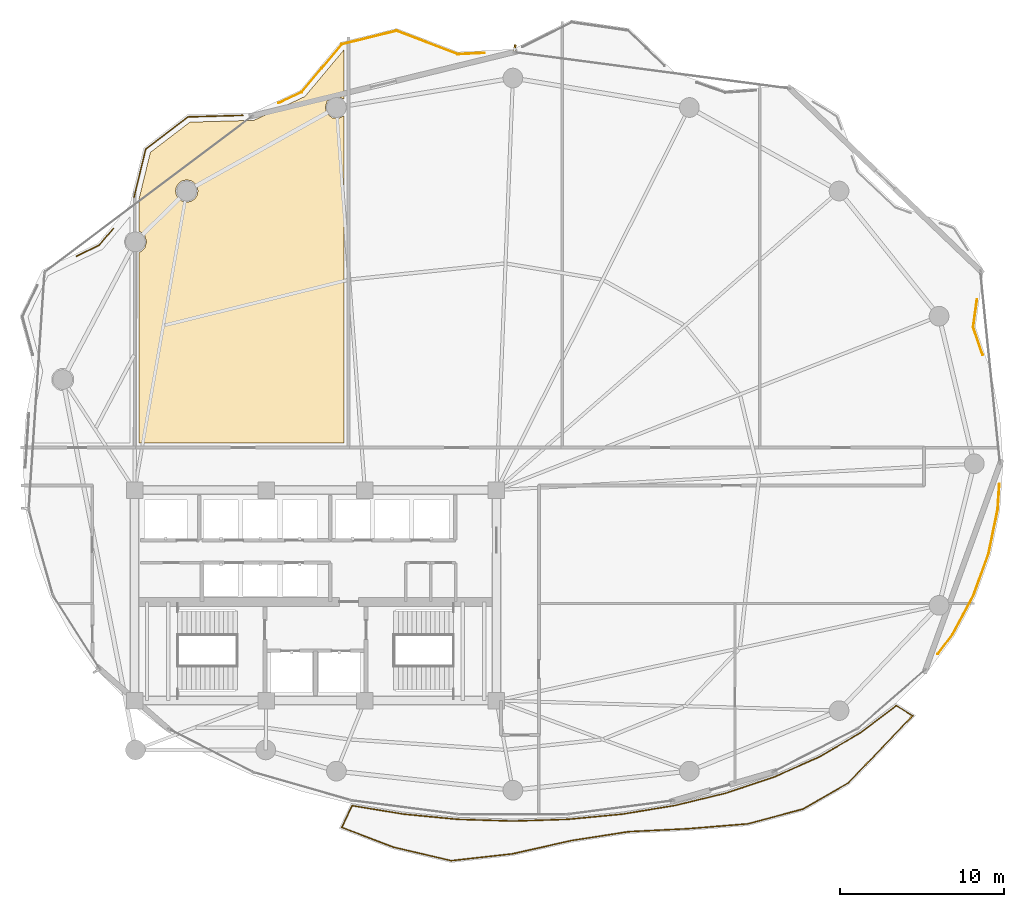
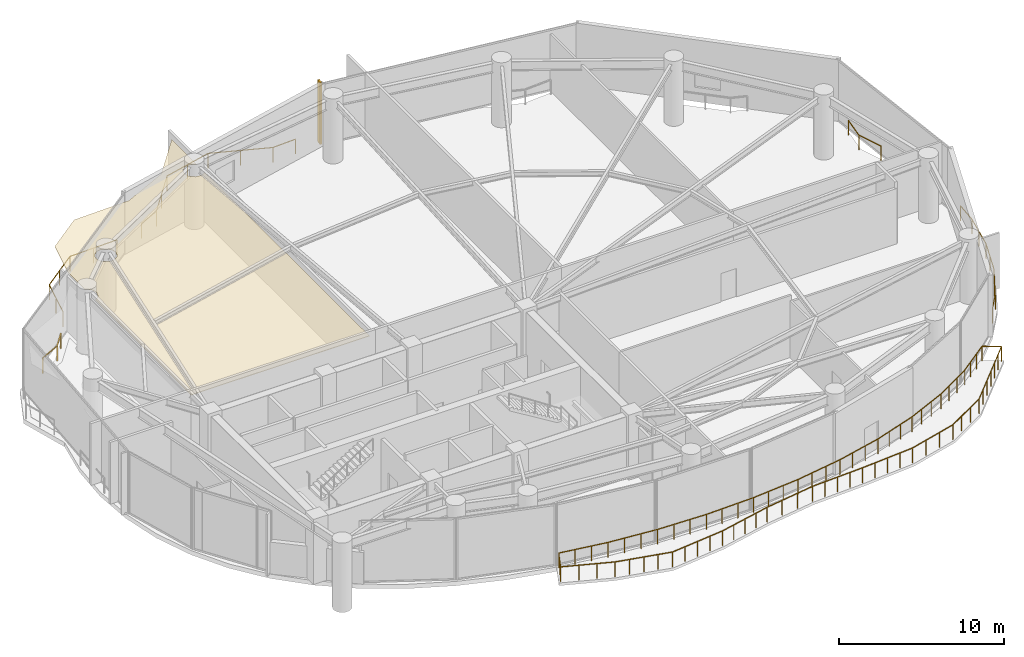
# One storey, part 29 of 30: 6 railings, 1 covering, 1 shading device.
"""IFC4 building model written with IfcOpenShell, lengths in metres."""

from ifc_helpers import new_model, si_unit, direction, frame, origin, origin_2d, place, context, subcontext, project, spatial, polyline, rectangle, outline, extrude, material, layer, layer_set, type_object, element, save


model = new_model("IFC4")

# Units and contexts
model_context = context("Model", 3, precision=1e-05, world=origin(), true_north=direction((0.0, 1.0)))
body_context = subcontext(model_context, "Body", "Model", "MODEL_VIEW")
ifc_project = project(units=[si_unit("LENGTHUNIT", "METRE"), si_unit("AREAUNIT", "SQUARE_METRE"), si_unit("VOLUMEUNIT", "CUBIC_METRE"), si_unit("PLANEANGLEUNIT", "RADIAN"), si_unit("MASSUNIT", "GRAM", prefix="KILO")], contexts=[model_context])

# Site, building, storey
site_placement = place(None, origin())
site = spatial("IfcSite", under=ifc_project, at=site_placement, CompositionType="ELEMENT")
building_placement = place(site_placement, origin())
building = spatial("IfcBuilding", under=site, at=building_placement, Name="Kazevale Care Tower and Concert Hall", CompositionType="ELEMENT")
storey_placement = place(building_placement, frame((0.0, 0.0, 97.800048828125)))
storey = spatial("IfcBuildingStorey", under=building, at=storey_placement, Name="L25", CompositionType="ELEMENT", Elevation=97.800048828125)

# Covering
ifc_material_1 = material(Name="Acoustic Plaster and Hinoki Wood", Category="wood")
ifc_layer = layer(ifc_material_1, 0.0400390625)
ifc_layer_set = layer_set([ifc_layer], Name="Acoustic Plaster and Hinoki Wood")
covering_type = type_object("IfcCoveringType", Name="Acoustic Perforated Wood-Gypsum Ceiling", PredefinedType="CEILING", material=ifc_layer_set)
covering_placement = place(storey_placement, frame((0.0, 0.0, 3.909912109375)))
element("IfcCovering", 1, at=covering_placement, inside=storey, type_object=covering_type, Name="clg:L25:2", PredefinedType="CEILING", context=body_context, shape_type="SweptSolid", body=[
    extrude(outline(polyline([(34.719970703125, 60.166015625), (34.403076171875, 60.326904296875), (34.010009765625, 60.2880859375), (33.705078125, 60.0380859375), (33.590087890625, 59.659912109375), (33.705078125, 59.281982421875), (34.010009765625, 59.031982421875), (34.403076171875, 58.992919921875), (34.719970703125, 59.154052734375), (34.719970703125, 39.2548828125), (22.280029296875, 39.2548828125), (22.280029296875, 50.85302734375), (22.427978515625, 50.925048828125), (22.614990234375, 51.112060546875), (22.72998046875, 51.489990234375), (22.614990234375, 51.867919921875), (22.427978515625, 52.054931640625), (22.280029296875, 52.126953125), (22.280029296875, 54.14404296875), (22.9580078125, 56.930908203125), (25.365966796875, 58.77099609375), (29.25390625, 58.8798828125), (32.35791015625, 60.3310546875), (34.719970703125, 63.156005859375), (34.719970703125, 60.166015625)]), holes=[polyline([(25.798095703125, 54.840087890625), (25.65087890625, 55.06103515625), (25.429931640625, 55.2080078125), (25.169921875, 55.260009765625), (24.909912109375, 55.2080078125), (24.68896484375, 55.06103515625), (24.5419921875, 54.840087890625), (24.489990234375, 54.580078125), (24.5419921875, 54.320068359375), (24.68896484375, 54.09912109375), (24.909912109375, 53.951904296875), (25.169921875, 53.89990234375), (25.429931640625, 53.951904296875), (25.65087890625, 54.09912109375), (25.798095703125, 54.320068359375), (25.85009765625, 54.580078125), (25.798095703125, 54.840087890625)])]), origin(), (0.0, 0.0, 1.0), 0.0400390625),
])

# Railings
ifc_material_2 = material(Name="Anodised Bronze Aluminium and Laminated Glass", Category="aluminium")
railing_type = type_object("IfcRailingType", Name="Balcony and Terrace Balustrade 1120", PredefinedType="BALUSTRADE", material=ifc_material_2)
railing_1_placement = place(storey_placement, frame((18.4599609375, 50.62109375, 0.0)))
element("IfcRailing", 2, at=railing_1_placement, inside=storey, type_object=railing_type, Name="rail:L25:perim:3", PredefinedType="BALUSTRADE", context=body_context, shape_type="SweptSolid", body=[
    extrude(rectangle(XDim=0.048095703125, YDim=0.048095703125, at=origin_2d()), frame((0.0, 0.0, 1.09619140625), z_axis=(0.900823701656, 0.434185051026, 0.0), x_axis=(-0.434185051026, 0.900823701656, 0.0)), (0.0, 0.0, 1.0), 1.5498046875),
    extrude(rectangle(XDim=0.048095703125, YDim=0.048095703125, at=origin_2d()), frame((1.39599609375, 0.6728515625, 1.09619140625), z_axis=(0.642605296256, 0.766197385289, 0.0), x_axis=(-0.766197385289, 0.642605296256, 0.0)), (0.0, 0.0, 1.0), 1.327392578125),
    extrude(rectangle(XDim=0.0419921875, YDim=0.0419921875, at=origin_2d()), origin(), (0.0, 0.0, 1.0), 1.072021484375),
    extrude(rectangle(XDim=0.0419921875, YDim=0.0419921875, at=origin_2d()), frame((1.39599609375, 0.6728515625, 0.0)), (0.0, 0.0, 1.0), 1.072021484375),
    extrude(rectangle(XDim=0.0419921875, YDim=0.0419921875, at=origin_2d()), frame((2.2490234375, 1.68994140625, 0.0)), (0.0, 0.0, 1.0), 1.072021484375),
])
railing_2_placement = place(storey_placement, frame((21.966064453125, 54.2060546875, 0.0)))
element("IfcRailing", 3, at=railing_2_placement, inside=storey, type_object=railing_type, Name="rail:L25:perim:4", PredefinedType="BALUSTRADE", context=body_context, shape_type="SweptSolid", body=[
    extrude(rectangle(XDim=0.048095703125, YDim=0.048095703125, at=origin_2d()), frame((0.0, 0.0, 1.09619140625), z_axis=(0.236337022334, 0.971671143893, 0.0), x_axis=(-0.971671143893, 0.236337022334, 0.0)), (0.0, 0.0, 1.0), 2.995849609375),
    extrude(rectangle(XDim=0.048095703125, YDim=0.048095703125, at=origin_2d()), frame((0.7080078125, 2.910888671875, 1.09619140625), z_axis=(0.794524333095, 0.607232314785, 0.0), x_axis=(-0.607232314785, 0.794524333095, 0.0)), (0.0, 0.0, 1.0), 3.245849609375),
    extrude(rectangle(XDim=0.048095703125, YDim=0.048095703125, at=origin_2d()), frame((3.286865234375, 4.8818359375, 1.09619140625), z_axis=(0.999602588936, 0.028189788803, 0.0), x_axis=(-0.028189788803, 0.999602588936, 0.0)), (0.0, 0.0, 1.0), 3.334228515625),
    extrude(rectangle(XDim=0.0419921875, YDim=0.0419921875, at=origin_2d()), origin(), (0.0, 0.0, 1.0), 1.072021484375),
    extrude(rectangle(XDim=0.0419921875, YDim=0.0419921875, at=origin_2d()), frame((0.35400390625, 1.45556640625, 0.0)), (0.0, 0.0, 1.0), 1.072021484375),
    extrude(rectangle(XDim=0.0419921875, YDim=0.0419921875, at=origin_2d()), frame((0.7080078125, 2.910888671875, 0.0)), (0.0, 0.0, 1.0), 1.072021484375),
    extrude(rectangle(XDim=0.0419921875, YDim=0.0419921875, at=origin_2d()), frame((1.99755859375, 3.896484375, 0.0)), (0.0, 0.0, 1.0), 1.072021484375),
    extrude(rectangle(XDim=0.0419921875, YDim=0.0419921875, at=origin_2d()), frame((3.286865234375, 4.8818359375, 0.0)), (0.0, 0.0, 1.0), 1.072021484375),
    extrude(rectangle(XDim=0.0419921875, YDim=0.0419921875, at=origin_2d()), frame((4.953369140625, 4.9287109375, 0.0)), (0.0, 0.0, 1.0), 1.072021484375),
    extrude(rectangle(XDim=0.0419921875, YDim=0.0419921875, at=origin_2d()), frame((6.619873046875, 4.975830078125, 0.0)), (0.0, 0.0, 1.0), 1.072021484375),
])
railing_3_placement = place(storey_placement, frame((30.740966796875, 59.927978515625, 0.0)))
element("IfcRailing", 4, at=railing_3_placement, inside=storey, type_object=railing_type, Name="rail:L25:perim:5", PredefinedType="BALUSTRADE", context=body_context, shape_type="SweptSolid", body=[
    extrude(rectangle(XDim=0.048095703125, YDim=0.048095703125, at=origin_2d()), frame((0.0, 0.0, 1.09619140625), z_axis=(0.905736116012, 0.423842055667, 0.0), x_axis=(-0.423842055667, 0.905736116012, 0.0)), (0.0, 0.0, 1.0), 1.564453125),
    extrude(rectangle(XDim=0.048095703125, YDim=0.048095703125, at=origin_2d()), frame((1.4169921875, 0.6630859375, 1.09619140625), z_axis=(0.641607523243, 0.767033106272, 0.0), x_axis=(-0.767033106272, 0.641607523243, 0.0)), (0.0, 0.0, 1.0), 3.793701171875),
    extrude(rectangle(XDim=0.048095703125, YDim=0.048095703125, at=origin_2d()), frame((3.85107421875, 3.572998046875, 1.09619140625), z_axis=(0.970923670016, 0.239389279214, 0.0), x_axis=(-0.239389279214, 0.970923670016, 0.0)), (0.0, 0.0, 1.0), 3.433837890625),
    extrude(rectangle(XDim=0.048095703125, YDim=0.048095703125, at=origin_2d()), frame((7.18505859375, 4.39501953125, 1.09619140625), z_axis=(0.933831892262, -0.357712170598, 0.0), x_axis=(0.357712170598, 0.933831892262, 0.0)), (0.0, 0.0, 1.0), 3.978271484375),
    extrude(rectangle(XDim=0.048095703125, YDim=0.048095703125, at=origin_2d()), frame((10.900146484375, 2.971923828125, 1.09619140625), z_axis=(0.998862326121, 0.04768703657, 0.0), x_axis=(-0.04768703657, 0.998862326121, 0.0)), (0.0, 0.0, 1.0), 1.617919921875),
    extrude(rectangle(XDim=0.0419921875, YDim=0.0419921875, at=origin_2d()), origin(), (0.0, 0.0, 1.0), 1.072021484375),
    extrude(rectangle(XDim=0.0419921875, YDim=0.0419921875, at=origin_2d()), frame((1.4169921875, 0.6630859375, 0.0)), (0.0, 0.0, 1.0), 1.072021484375),
    extrude(rectangle(XDim=0.0419921875, YDim=0.0419921875, at=origin_2d()), frame((2.634033203125, 2.1181640625, 0.0)), (0.0, 0.0, 1.0), 1.072021484375),
    extrude(rectangle(XDim=0.0419921875, YDim=0.0419921875, at=origin_2d()), frame((3.85107421875, 3.572998046875, 0.0)), (0.0, 0.0, 1.0), 1.072021484375),
    extrude(rectangle(XDim=0.0419921875, YDim=0.0419921875, at=origin_2d()), frame((5.51806640625, 3.98388671875, 0.0)), (0.0, 0.0, 1.0), 1.072021484375),
    extrude(rectangle(XDim=0.0419921875, YDim=0.0419921875, at=origin_2d()), frame((7.18505859375, 4.39501953125, 0.0)), (0.0, 0.0, 1.0), 1.072021484375),
    extrude(rectangle(XDim=0.0419921875, YDim=0.0419921875, at=origin_2d()), frame((9.04248046875, 3.68359375, 0.0)), (0.0, 0.0, 1.0), 1.072021484375),
    extrude(rectangle(XDim=0.0419921875, YDim=0.0419921875, at=origin_2d()), frame((10.900146484375, 2.971923828125, 0.0)), (0.0, 0.0, 1.0), 1.072021484375),
    extrude(rectangle(XDim=0.0419921875, YDim=0.0419921875, at=origin_2d()), frame((12.51611328125, 3.049072265625, 0.0)), (0.0, 0.0, 1.0), 1.072021484375),
])
railing_4_placement = place(storey_placement, frame((74.576904296875, 36.76611328125, 0.0)))
element("IfcRailing", 5, at=railing_4_placement, inside=storey, type_object=railing_type, Name="rail:L25:perim:10", PredefinedType="BALUSTRADE", context=body_context, shape_type="SweptSolid", body=[
    extrude(rectangle(XDim=0.048095703125, YDim=0.048095703125, at=origin_2d()), frame((0.0, 0.0, 1.09619140625), z_axis=(-0.066164353261, -0.997808738365, 0.0), x_axis=(0.997808738365, -0.066164353261, 0.0)), (0.0, 0.0, 1.0), 1.553466796875),
    extrude(rectangle(XDim=0.048095703125, YDim=0.048095703125, at=origin_2d()), frame((-0.102783203125, -1.550048828125, 1.09619140625), z_axis=(-0.202611486218, -0.979259202485, 0.0), x_axis=(0.979259202485, -0.202611486218, 0.0)), (0.0, 0.0, 1.0), 2.744873046875),
    extrude(rectangle(XDim=0.048095703125, YDim=0.048095703125, at=origin_2d()), frame((-0.658935546875, -4.238037109375, 1.09619140625), z_axis=(-0.339653342944, -0.940550693279, 0.0), x_axis=(0.940550693279, -0.339653342944, 0.0)), (0.0, 0.0, 1.0), 2.70263671875),
    extrude(rectangle(XDim=0.048095703125, YDim=0.048095703125, at=origin_2d()), frame((-1.576904296875, -6.780029296875, 1.09619140625), z_axis=(-0.473735648305, -0.880667096879, 0.0), x_axis=(0.880667096879, -0.473735648305, 0.0)), (0.0, 0.0, 1.0), 2.6787109375),
    extrude(rectangle(XDim=0.048095703125, YDim=0.048095703125, at=origin_2d()), frame((-2.845947265625, -9.13916015625, 1.09619140625), z_axis=(-0.597990687273, -0.801503049236, 0.0), x_axis=(0.801503049236, -0.597990687273, 0.0)), (0.0, 0.0, 1.0), 1.498291015625),
    extrude(rectangle(XDim=0.0419921875, YDim=0.0419921875, at=origin_2d()), origin(), (0.0, 0.0, 1.0), 1.072021484375),
    extrude(rectangle(XDim=0.0419921875, YDim=0.0419921875, at=origin_2d()), frame((-0.102783203125, -1.550048828125, 0.0)), (0.0, 0.0, 1.0), 1.072021484375),
    extrude(rectangle(XDim=0.0419921875, YDim=0.0419921875, at=origin_2d()), frame((-0.380859375, -2.89404296875, 0.0)), (0.0, 0.0, 1.0), 1.072021484375),
    extrude(rectangle(XDim=0.0419921875, YDim=0.0419921875, at=origin_2d()), frame((-0.658935546875, -4.238037109375, 0.0)), (0.0, 0.0, 1.0), 1.072021484375),
    extrude(rectangle(XDim=0.0419921875, YDim=0.0419921875, at=origin_2d()), frame((-1.117919921875, -5.509033203125, 0.0)), (0.0, 0.0, 1.0), 1.072021484375),
    extrude(rectangle(XDim=0.0419921875, YDim=0.0419921875, at=origin_2d()), frame((-1.576904296875, -6.780029296875, 0.0)), (0.0, 0.0, 1.0), 1.072021484375),
    extrude(rectangle(XDim=0.0419921875, YDim=0.0419921875, at=origin_2d()), frame((-2.21142578125, -7.95947265625, 0.0)), (0.0, 0.0, 1.0), 1.072021484375),
    extrude(rectangle(XDim=0.0419921875, YDim=0.0419921875, at=origin_2d()), frame((-2.845947265625, -9.13916015625, 0.0)), (0.0, 0.0, 1.0), 1.072021484375),
    extrude(rectangle(XDim=0.0419921875, YDim=0.0419921875, at=origin_2d()), frame((-3.741943359375, -10.340087890625, 0.0)), (0.0, 0.0, 1.0), 1.072021484375),
])
railing_5_placement = place(storey_placement, frame((73.216064453125, 47.98193359375, 0.0)))
element("IfcRailing", 6, at=railing_5_placement, inside=storey, type_object=railing_type, Name="rail:L25:perim:12", PredefinedType="BALUSTRADE", context=body_context, shape_type="SweptSolid", body=[
    extrude(rectangle(XDim=0.048095703125, YDim=0.048095703125, at=origin_2d()), frame((0.0, 0.0, 1.09619140625), z_axis=(-0.137473823068, -0.990505400274, 0.0), x_axis=(0.990505400274, -0.137473823068, 0.0)), (0.0, 0.0, 1.0), 1.68896484375),
    extrude(rectangle(XDim=0.048095703125, YDim=0.048095703125, at=origin_2d()), frame((-0.232177734375, -1.6728515625, 1.09619140625), z_axis=(0.322868909969, -0.946443694562, 0.0), x_axis=(0.946443694562, 0.322868909969, 0.0)), (0.0, 0.0, 1.0), 1.784423828125),
    extrude(rectangle(XDim=0.0419921875, YDim=0.0419921875, at=origin_2d()), origin(), (0.0, 0.0, 1.0), 1.072021484375),
    extrude(rectangle(XDim=0.0419921875, YDim=0.0419921875, at=origin_2d()), frame((-0.232177734375, -1.6728515625, 0.0)), (0.0, 0.0, 1.0), 1.072021484375),
    extrude(rectangle(XDim=0.0419921875, YDim=0.0419921875, at=origin_2d()), frame((0.343994140625, -3.36181640625, 0.0)), (0.0, 0.0, 1.0), 1.072021484375),
])
railing_6_placement = place(storey_placement, frame((35.22509765625, 17.2099609375, 0.0)))
element("IfcRailing", 7, at=railing_6_placement, inside=storey, type_object=railing_type, Name="rail:L25:balcony", PredefinedType="BALUSTRADE", context=body_context, shape_type="SweptSolid", body=[
    extrude(rectangle(XDim=0.048095703125, YDim=0.048095703125, at=origin_2d()), frame((0.0, 0.0, 1.09619140625), z_axis=(0.986720826515, -0.162425399869, 0.0), x_axis=(0.162425399869, 0.986720826515, 0.0)), (0.0, 0.0, 1.0), 3.169921875),
    extrude(rectangle(XDim=0.048095703125, YDim=0.048095703125, at=origin_2d()), frame((3.1279296875, -0.514892578125, 1.09619140625), z_axis=(0.995477928413, -0.09499312629, 0.0), x_axis=(0.09499312629, 0.995477928413, 0.0)), (0.0, 0.0, 1.0), 3.31787109375),
    extrude(rectangle(XDim=0.048095703125, YDim=0.048095703125, at=origin_2d()), frame((6.430908203125, -0.830078125, 1.09619140625), z_axis=(0.999507580629, -0.031378276971, 0.0), x_axis=(0.031378276971, 0.999507580629, 0.0)), (0.0, 0.0, 1.0), 3.345703125),
    extrude(rectangle(XDim=0.048095703125, YDim=0.048095703125, at=origin_2d()), frame((9.77490234375, -0.93505859375, 1.09619140625), z_axis=(0.999507580629, 0.031378276971, 0.0), x_axis=(-0.031378276971, 0.999507580629, 0.0)), (0.0, 0.0, 1.0), 3.345703125),
    extrude(rectangle(XDim=0.048095703125, YDim=0.048095703125, at=origin_2d()), frame((13.118896484375, -0.830078125, 1.09619140625), z_axis=(0.995477928413, 0.09499312629, 0.0), x_axis=(-0.09499312629, 0.995477928413, 0.0)), (0.0, 0.0, 1.0), 3.31787109375),
    extrude(rectangle(XDim=0.048095703125, YDim=0.048095703125, at=origin_2d()), frame((16.421875, -0.514892578125, 1.09619140625), z_axis=(0.986673526711, 0.162712481659, 0.0), x_axis=(-0.162712481659, 0.986673526711, 0.0)), (0.0, 0.0, 1.0), 3.263427734375),
    extrude(rectangle(XDim=0.048095703125, YDim=0.048095703125, at=origin_2d()), frame((19.641845703125, 0.01611328125, 1.09619140625), z_axis=(0.971769261323, 0.235933259095, 0.0), x_axis=(-0.235933259095, 0.971769261323, 0.0)), (0.0, 0.0, 1.0), 3.187255859375),
    extrude(rectangle(XDim=0.048095703125, YDim=0.048095703125, at=origin_2d()), frame((22.739013671875, 0.76806640625, 1.09619140625), z_axis=(0.948264523365, 0.317481328155, 0.0), x_axis=(-0.317481328155, 0.948264523365, 0.0)), (0.0, 0.0, 1.0), 3.095947265625),
    extrude(rectangle(XDim=0.048095703125, YDim=0.048095703125, at=origin_2d()), frame((25.6748046875, 1.7509765625, 1.09619140625), z_axis=(0.913377633239, 0.407113373766, 0.0), x_axis=(-0.407113373766, 0.913377633239, 0.0)), (0.0, 0.0, 1.0), 2.99658203125),
    extrude(rectangle(XDim=0.048095703125, YDim=0.048095703125, at=origin_2d()), frame((28.411865234375, 2.970947265625, 1.09619140625), z_axis=(0.863507127078, 0.504336635082, 0.0), x_axis=(-0.504336635082, 0.863507127078, 0.0)), (0.0, 0.0, 1.0), 2.901123046875),
    extrude(rectangle(XDim=0.048095703125, YDim=0.048095703125, at=origin_2d()), frame((30.9169921875, 4.43408203125, 1.09619140625), z_axis=(0.795030778338, 0.606569090455, 0.0), x_axis=(-0.606569090455, 0.795030778338, 0.0)), (0.0, 0.0, 1.0), 2.726806640625),
    extrude(rectangle(XDim=0.048095703125, YDim=0.048095703125, at=origin_2d()), frame((33.0849609375, 6.088134765625, 1.09619140625), z_axis=(0.847893082394, -0.530167257409, 0.0), x_axis=(0.530167257409, 0.847893082394, 0.0)), (0.0, 0.0, 1.0), 1.17333984375),
    extrude(rectangle(XDim=0.048095703125, YDim=0.048095703125, at=origin_2d()), frame((34.079833984375, 5.466064453125, 1.09619140625), z_axis=(-0.691819317021, -0.722070656235, 0.0), x_axis=(0.722070656235, -0.691819317021, 0.0)), (0.0, 0.0, 1.0), 2.711669921875),
    extrude(rectangle(XDim=0.048095703125, YDim=0.048095703125, at=origin_2d()), frame((32.203857421875, 3.508056640625, 1.09619140625), z_axis=(-0.692373129824, -0.721539637926, 0.0), x_axis=(0.721539637926, -0.692373129824, 0.0)), (0.0, 0.0, 1.0), 2.946533203125),
    extrude(rectangle(XDim=0.048095703125, YDim=0.048095703125, at=origin_2d()), frame((30.163818359375, 1.382080078125, 1.09619140625), z_axis=(-0.866344262418, -0.499447313513, 0.0), x_axis=(0.499447313513, -0.866344262418, 0.0)), (0.0, 0.0, 1.0), 3.17529296875),
    extrude(rectangle(XDim=0.048095703125, YDim=0.048095703125, at=origin_2d()), frame((27.412841796875, -0.203857421875, 1.09619140625), z_axis=(-0.965789205563, -0.259328383365, 0.0), x_axis=(0.259328383365, -0.965789205563, 0.0)), (0.0, 0.0, 1.0), 3.474853515625),
    extrude(rectangle(XDim=0.048095703125, YDim=0.048095703125, at=origin_2d()), frame((24.056884765625, -1.10498046875, 1.09619140625), z_axis=(-0.99674250698, -0.08064970415, 0.0), x_axis=(0.08064970415, -0.99674250698, 0.0)), (0.0, 0.0, 1.0), 3.6689453125),
    extrude(rectangle(XDim=0.048095703125, YDim=0.048095703125, at=origin_2d()), frame((20.39990234375, -1.40087890625, 1.09619140625), z_axis=(-0.998760611033, -0.049771898194, 0.0), x_axis=(0.049771898194, -0.998760611033, 0.0)), (0.0, 0.0, 1.0), 3.600341796875),
    extrude(rectangle(XDim=0.048095703125, YDim=0.048095703125, at=origin_2d()), frame((16.803955078125, -1.580078125, 1.09619140625), z_axis=(-0.988120917742, -0.153678404213, 0.0), x_axis=(0.153678404213, -0.988120917742, 0.0)), (0.0, 0.0, 1.0), 3.518798828125),
    extrude(rectangle(XDim=0.048095703125, YDim=0.048095703125, at=origin_2d()), frame((13.326904296875, -2.120849609375, 1.09619140625), z_axis=(-0.97558083091, -0.219640711983, 0.0), x_axis=(0.219640711983, -0.97558083091, 0.0)), (0.0, 0.0, 1.0), 3.661376953125),
    extrude(rectangle(XDim=0.048095703125, YDim=0.048095703125, at=origin_2d()), frame((9.7548828125, -2.925048828125, 1.09619140625), z_axis=(-0.993778008457, -0.111378947326, 0.0), x_axis=(0.111378947326, -0.993778008457, 0.0)), (0.0, 0.0, 1.0), 3.761474609375),
    extrude(rectangle(XDim=0.048095703125, YDim=0.048095703125, at=origin_2d()), frame((6.016845703125, -3.343994140625, 1.09619140625), z_axis=(-0.973441830455, 0.228934494389, 0.0), x_axis=(-0.228934494389, -0.973441830455, 0.0)), (0.0, 0.0, 1.0), 3.63427734375),
    extrude(rectangle(XDim=0.048095703125, YDim=0.048095703125, at=origin_2d()), frame((2.47900390625, -2.511962890625, 1.09619140625), z_axis=(-0.93370239713, 0.358050043421, 0.0), x_axis=(-0.358050043421, -0.93370239713, 0.0)), (0.0, 0.0, 1.0), 3.328857421875),
    extrude(rectangle(XDim=0.048095703125, YDim=0.048095703125, at=origin_2d()), frame((-0.629150390625, -1.320068359375, 1.09619140625), z_axis=(0.430238145043, 0.902715425009, 0.0), x_axis=(-0.902715425009, 0.430238145043, 0.0)), (0.0, 0.0, 1.0), 1.46240234375),
    extrude(rectangle(XDim=0.0419921875, YDim=0.0419921875, at=origin_2d()), origin(), (0.0, 0.0, 1.0), 1.072021484375),
    extrude(rectangle(XDim=0.0419921875, YDim=0.0419921875, at=origin_2d()), frame((1.042724609375, -0.171630859375, 0.0)), (0.0, 0.0, 1.0), 1.072021484375),
    extrude(rectangle(XDim=0.0419921875, YDim=0.0419921875, at=origin_2d()), frame((2.085205078125, -0.34326171875, 0.0)), (0.0, 0.0, 1.0), 1.072021484375),
    extrude(rectangle(XDim=0.0419921875, YDim=0.0419921875, at=origin_2d()), frame((3.1279296875, -0.514892578125, 0.0)), (0.0, 0.0, 1.0), 1.072021484375),
    extrude(rectangle(XDim=0.0419921875, YDim=0.0419921875, at=origin_2d()), frame((4.22900390625, -0.619873046875, 0.0)), (0.0, 0.0, 1.0), 1.072021484375),
    extrude(rectangle(XDim=0.0419921875, YDim=0.0419921875, at=origin_2d()), frame((5.329833984375, -0.72509765625, 0.0)), (0.0, 0.0, 1.0), 1.072021484375),
    extrude(rectangle(XDim=0.0419921875, YDim=0.0419921875, at=origin_2d()), frame((6.430908203125, -0.830078125, 0.0)), (0.0, 0.0, 1.0), 1.072021484375),
    extrude(rectangle(XDim=0.0419921875, YDim=0.0419921875, at=origin_2d()), frame((7.545654296875, -0.864990234375, 0.0)), (0.0, 0.0, 1.0), 1.072021484375),
    extrude(rectangle(XDim=0.0419921875, YDim=0.0419921875, at=origin_2d()), frame((8.66015625, -0.900146484375, 0.0)), (0.0, 0.0, 1.0), 1.072021484375),
    extrude(rectangle(XDim=0.0419921875, YDim=0.0419921875, at=origin_2d()), frame((9.77490234375, -0.93505859375, 0.0)), (0.0, 0.0, 1.0), 1.072021484375),
    extrude(rectangle(XDim=0.0419921875, YDim=0.0419921875, at=origin_2d()), frame((10.8896484375, -0.900146484375, 0.0)), (0.0, 0.0, 1.0), 1.072021484375),
    extrude(rectangle(XDim=0.0419921875, YDim=0.0419921875, at=origin_2d()), frame((12.004150390625, -0.864990234375, 0.0)), (0.0, 0.0, 1.0), 1.072021484375),
    extrude(rectangle(XDim=0.0419921875, YDim=0.0419921875, at=origin_2d()), frame((13.118896484375, -0.830078125, 0.0)), (0.0, 0.0, 1.0), 1.072021484375),
    extrude(rectangle(XDim=0.0419921875, YDim=0.0419921875, at=origin_2d()), frame((14.219970703125, -0.72509765625, 0.0)), (0.0, 0.0, 1.0), 1.072021484375),
    extrude(rectangle(XDim=0.0419921875, YDim=0.0419921875, at=origin_2d()), frame((15.32080078125, -0.619873046875, 0.0)), (0.0, 0.0, 1.0), 1.072021484375),
    extrude(rectangle(XDim=0.0419921875, YDim=0.0419921875, at=origin_2d()), frame((16.421875, -0.514892578125, 0.0)), (0.0, 0.0, 1.0), 1.072021484375),
    extrude(rectangle(XDim=0.0419921875, YDim=0.0419921875, at=origin_2d()), frame((17.4951171875, -0.337890625, 0.0)), (0.0, 0.0, 1.0), 1.072021484375),
    extrude(rectangle(XDim=0.0419921875, YDim=0.0419921875, at=origin_2d()), frame((18.568603515625, -0.160888671875, 0.0)), (0.0, 0.0, 1.0), 1.072021484375),
    extrude(rectangle(XDim=0.0419921875, YDim=0.0419921875, at=origin_2d()), frame((19.641845703125, 0.01611328125, 0.0)), (0.0, 0.0, 1.0), 1.072021484375),
    extrude(rectangle(XDim=0.0419921875, YDim=0.0419921875, at=origin_2d()), frame((20.67431640625, 0.266845703125, 0.0)), (0.0, 0.0, 1.0), 1.072021484375),
    extrude(rectangle(XDim=0.0419921875, YDim=0.0419921875, at=origin_2d()), frame((21.70654296875, 0.517333984375, 0.0)), (0.0, 0.0, 1.0), 1.072021484375),
    extrude(rectangle(XDim=0.0419921875, YDim=0.0419921875, at=origin_2d()), frame((22.739013671875, 0.76806640625, 0.0)), (0.0, 0.0, 1.0), 1.072021484375),
    extrude(rectangle(XDim=0.0419921875, YDim=0.0419921875, at=origin_2d()), frame((23.717529296875, 1.095703125, 0.0)), (0.0, 0.0, 1.0), 1.072021484375),
    extrude(rectangle(XDim=0.0419921875, YDim=0.0419921875, at=origin_2d()), frame((24.6962890625, 1.42333984375, 0.0)), (0.0, 0.0, 1.0), 1.072021484375),
    extrude(rectangle(XDim=0.0419921875, YDim=0.0419921875, at=origin_2d()), frame((25.6748046875, 1.7509765625, 0.0)), (0.0, 0.0, 1.0), 1.072021484375),
    extrude(rectangle(XDim=0.0419921875, YDim=0.0419921875, at=origin_2d()), frame((26.587158203125, 2.15771484375, 0.0)), (0.0, 0.0, 1.0), 1.072021484375),
    extrude(rectangle(XDim=0.0419921875, YDim=0.0419921875, at=origin_2d()), frame((27.49951171875, 2.564208984375, 0.0)), (0.0, 0.0, 1.0), 1.072021484375),
    extrude(rectangle(XDim=0.0419921875, YDim=0.0419921875, at=origin_2d()), frame((28.411865234375, 2.970947265625, 0.0)), (0.0, 0.0, 1.0), 1.072021484375),
    extrude(rectangle(XDim=0.0419921875, YDim=0.0419921875, at=origin_2d()), frame((29.246826171875, 3.458740234375, 0.0)), (0.0, 0.0, 1.0), 1.072021484375),
    extrude(rectangle(XDim=0.0419921875, YDim=0.0419921875, at=origin_2d()), frame((30.08203125, 3.9462890625, 0.0)), (0.0, 0.0, 1.0), 1.072021484375),
    extrude(rectangle(XDim=0.0419921875, YDim=0.0419921875, at=origin_2d()), frame((30.9169921875, 4.43408203125, 0.0)), (0.0, 0.0, 1.0), 1.072021484375),
    extrude(rectangle(XDim=0.0419921875, YDim=0.0419921875, at=origin_2d()), frame((31.6396484375, 4.9853515625, 0.0)), (0.0, 0.0, 1.0), 1.072021484375),
    extrude(rectangle(XDim=0.0419921875, YDim=0.0419921875, at=origin_2d()), frame((32.3623046875, 5.536865234375, 0.0)), (0.0, 0.0, 1.0), 1.072021484375),
    extrude(rectangle(XDim=0.0419921875, YDim=0.0419921875, at=origin_2d()), frame((33.0849609375, 6.088134765625, 0.0)), (0.0, 0.0, 1.0), 1.072021484375),
    extrude(rectangle(XDim=0.0419921875, YDim=0.0419921875, at=origin_2d()), frame((34.079833984375, 5.466064453125, 0.0)), (0.0, 0.0, 1.0), 1.072021484375),
    extrude(rectangle(XDim=0.0419921875, YDim=0.0419921875, at=origin_2d()), frame((33.45458984375, 4.8134765625, 0.0)), (0.0, 0.0, 1.0), 1.072021484375),
    extrude(rectangle(XDim=0.0419921875, YDim=0.0419921875, at=origin_2d()), frame((32.8291015625, 4.16064453125, 0.0)), (0.0, 0.0, 1.0), 1.072021484375),
    extrude(rectangle(XDim=0.0419921875, YDim=0.0419921875, at=origin_2d()), frame((32.203857421875, 3.508056640625, 0.0)), (0.0, 0.0, 1.0), 1.072021484375),
    extrude(rectangle(XDim=0.0419921875, YDim=0.0419921875, at=origin_2d()), frame((31.52392578125, 2.79931640625, 0.0)), (0.0, 0.0, 1.0), 1.072021484375),
    extrude(rectangle(XDim=0.0419921875, YDim=0.0419921875, at=origin_2d()), frame((30.84375, 2.0908203125, 0.0)), (0.0, 0.0, 1.0), 1.072021484375),
    extrude(rectangle(XDim=0.0419921875, YDim=0.0419921875, at=origin_2d()), frame((30.163818359375, 1.382080078125, 0.0)), (0.0, 0.0, 1.0), 1.072021484375),
    extrude(rectangle(XDim=0.0419921875, YDim=0.0419921875, at=origin_2d()), frame((29.246826171875, 0.853515625, 0.0)), (0.0, 0.0, 1.0), 1.072021484375),
    extrude(rectangle(XDim=0.0419921875, YDim=0.0419921875, at=origin_2d()), frame((28.329833984375, 0.32470703125, 0.0)), (0.0, 0.0, 1.0), 1.072021484375),
    extrude(rectangle(XDim=0.0419921875, YDim=0.0419921875, at=origin_2d()), frame((27.412841796875, -0.203857421875, 0.0)), (0.0, 0.0, 1.0), 1.072021484375),
    extrude(rectangle(XDim=0.0419921875, YDim=0.0419921875, at=origin_2d()), frame((26.294189453125, -0.504150390625, 0.0)), (0.0, 0.0, 1.0), 1.072021484375),
    extrude(rectangle(XDim=0.0419921875, YDim=0.0419921875, at=origin_2d()), frame((25.175537109375, -0.8046875, 0.0)), (0.0, 0.0, 1.0), 1.072021484375),
    extrude(rectangle(XDim=0.0419921875, YDim=0.0419921875, at=origin_2d()), frame((24.056884765625, -1.10498046875, 0.0)), (0.0, 0.0, 1.0), 1.072021484375),
    extrude(rectangle(XDim=0.0419921875, YDim=0.0419921875, at=origin_2d()), frame((23.142578125, -1.178955078125, 0.0)), (0.0, 0.0, 1.0), 1.072021484375),
    extrude(rectangle(XDim=0.0419921875, YDim=0.0419921875, at=origin_2d()), frame((22.228515625, -1.2529296875, 0.0)), (0.0, 0.0, 1.0), 1.072021484375),
    extrude(rectangle(XDim=0.0419921875, YDim=0.0419921875, at=origin_2d()), frame((21.314208984375, -1.326904296875, 0.0)), (0.0, 0.0, 1.0), 1.072021484375),
    extrude(rectangle(XDim=0.0419921875, YDim=0.0419921875, at=origin_2d()), frame((20.39990234375, -1.40087890625, 0.0)), (0.0, 0.0, 1.0), 1.072021484375),
    extrude(rectangle(XDim=0.0419921875, YDim=0.0419921875, at=origin_2d()), frame((19.5009765625, -1.44580078125, 0.0)), (0.0, 0.0, 1.0), 1.072021484375),
    extrude(rectangle(XDim=0.0419921875, YDim=0.0419921875, at=origin_2d()), frame((18.60205078125, -1.490478515625, 0.0)), (0.0, 0.0, 1.0), 1.072021484375),
    extrude(rectangle(XDim=0.0419921875, YDim=0.0419921875, at=origin_2d()), frame((17.702880859375, -1.53515625, 0.0)), (0.0, 0.0, 1.0), 1.072021484375),
    extrude(rectangle(XDim=0.0419921875, YDim=0.0419921875, at=origin_2d()), frame((16.803955078125, -1.580078125, 0.0)), (0.0, 0.0, 1.0), 1.072021484375),
    extrude(rectangle(XDim=0.0419921875, YDim=0.0419921875, at=origin_2d()), frame((15.64501953125, -1.76025390625, 0.0)), (0.0, 0.0, 1.0), 1.072021484375),
    extrude(rectangle(XDim=0.0419921875, YDim=0.0419921875, at=origin_2d()), frame((14.48583984375, -1.940673828125, 0.0)), (0.0, 0.0, 1.0), 1.072021484375),
    extrude(rectangle(XDim=0.0419921875, YDim=0.0419921875, at=origin_2d()), frame((13.326904296875, -2.120849609375, 0.0)), (0.0, 0.0, 1.0), 1.072021484375),
    extrude(rectangle(XDim=0.0419921875, YDim=0.0419921875, at=origin_2d()), frame((12.433837890625, -2.32177734375, 0.0)), (0.0, 0.0, 1.0), 1.072021484375),
    extrude(rectangle(XDim=0.0419921875, YDim=0.0419921875, at=origin_2d()), frame((11.541015625, -2.52294921875, 0.0)), (0.0, 0.0, 1.0), 1.072021484375),
    extrude(rectangle(XDim=0.0419921875, YDim=0.0419921875, at=origin_2d()), frame((10.64794921875, -2.72412109375, 0.0)), (0.0, 0.0, 1.0), 1.072021484375),
    extrude(rectangle(XDim=0.0419921875, YDim=0.0419921875, at=origin_2d()), frame((9.7548828125, -2.925048828125, 0.0)), (0.0, 0.0, 1.0), 1.072021484375),
    extrude(rectangle(XDim=0.0419921875, YDim=0.0419921875, at=origin_2d()), frame((8.8203125, -3.02978515625, 0.0)), (0.0, 0.0, 1.0), 1.072021484375),
    extrude(rectangle(XDim=0.0419921875, YDim=0.0419921875, at=origin_2d()), frame((7.8857421875, -3.134521484375, 0.0)), (0.0, 0.0, 1.0), 1.072021484375),
    extrude(rectangle(XDim=0.0419921875, YDim=0.0419921875, at=origin_2d()), frame((6.951416015625, -3.2392578125, 0.0)), (0.0, 0.0, 1.0), 1.072021484375),
    extrude(rectangle(XDim=0.0419921875, YDim=0.0419921875, at=origin_2d()), frame((6.016845703125, -3.343994140625, 0.0)), (0.0, 0.0, 1.0), 1.072021484375),
    extrude(rectangle(XDim=0.0419921875, YDim=0.0419921875, at=origin_2d()), frame((5.13232421875, -3.135986328125, 0.0)), (0.0, 0.0, 1.0), 1.072021484375),
    extrude(rectangle(XDim=0.0419921875, YDim=0.0419921875, at=origin_2d()), frame((4.248046875, -2.927978515625, 0.0)), (0.0, 0.0, 1.0), 1.072021484375),
    extrude(rectangle(XDim=0.0419921875, YDim=0.0419921875, at=origin_2d()), frame((3.363525390625, -2.719970703125, 0.0)), (0.0, 0.0, 1.0), 1.072021484375),
    extrude(rectangle(XDim=0.0419921875, YDim=0.0419921875, at=origin_2d()), frame((2.47900390625, -2.511962890625, 0.0)), (0.0, 0.0, 1.0), 1.072021484375),
    extrude(rectangle(XDim=0.0419921875, YDim=0.0419921875, at=origin_2d()), frame((1.44287109375, -2.11474609375, 0.0)), (0.0, 0.0, 1.0), 1.072021484375),
    extrude(rectangle(XDim=0.0419921875, YDim=0.0419921875, at=origin_2d()), frame((0.406982421875, -1.71728515625, 0.0)), (0.0, 0.0, 1.0), 1.072021484375),
    extrude(rectangle(XDim=0.0419921875, YDim=0.0419921875, at=origin_2d()), frame((-0.629150390625, -1.320068359375, 0.0)), (0.0, 0.0, 1.0), 1.072021484375),
    extrude(rectangle(XDim=0.0419921875, YDim=0.0419921875, at=origin_2d()), frame((-0.314453125, -0.66015625, 0.0)), (0.0, 0.0, 1.0), 1.072021484375),
])

# Shading device
ifc_material_3 = material(Name="Honed Ochre Limestone", Category="masonry")
shading_device_type = type_object("IfcShadingDeviceType", Name="Vertical Honed Limestone Fin FIN-01", PredefinedType="USERDEFINED", material=ifc_material_3)
shading_device_placement = place(storey_placement, frame((45.118408203125, 63.27587890625, 0.0), z_axis=(0.0, 0.0, 1.0), x_axis=(0.130872263805, 0.991399238736, 0.0)))
element("IfcShadingDevice", 8, at=shading_device_placement, inside=storey, type_object=shading_device_type, Name="cw:L25:f16:fin", ObjectType="FIN", PredefinedType="USERDEFINED", context=body_context, shape_type="SweptSolid", body=[
    extrude(rectangle(XDim=0.3798828125, YDim=0.1201171875, at=origin_2d()), origin(), (0.0, 0.0, 1.0), 4.56005859375),
])

save(model, "model.ifc")
